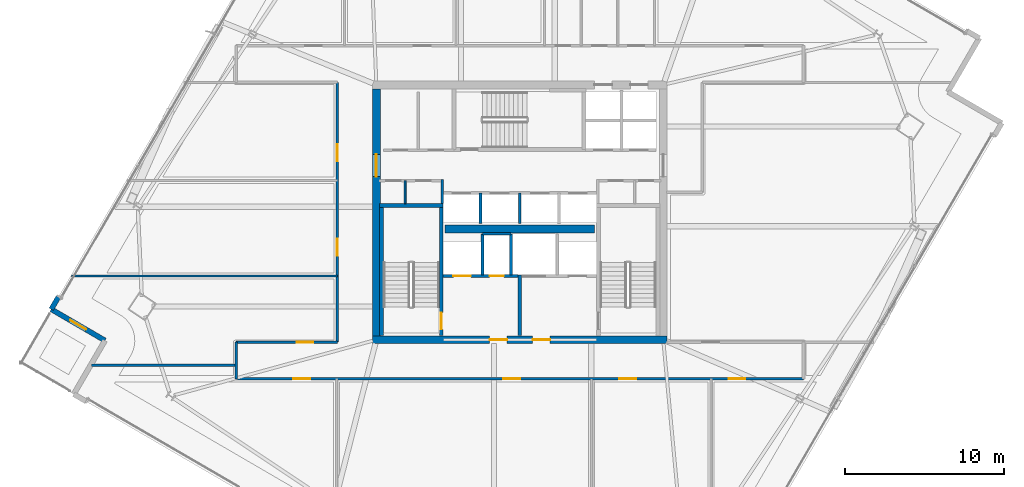
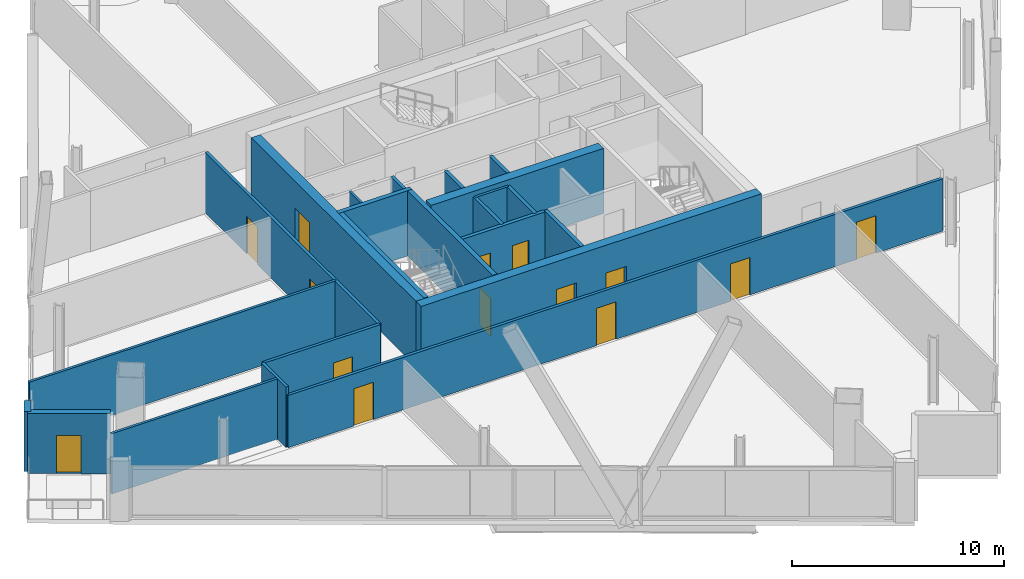
# One storey, part 21 of 29: 23 walls, 14 doors, 14 openings.
"""IFC4 building model written with IfcOpenShell, lengths in metres."""

from ifc_helpers import new_model, si_unit, direction, frame, frame_2d, origin, place, context, subcontext, project, spatial, rectangle, extrude, material, layer, layer_set, type_object, element, fill, save


model = new_model("IFC4")

# Units and contexts
model_context = context("Model", 3, precision=1e-05, world=origin(), true_north=direction((0.0, 1.0)))
body_context = subcontext(model_context, "Body", "Model", "MODEL_VIEW")
ifc_project = project(units=[si_unit("LENGTHUNIT", "METRE"), si_unit("AREAUNIT", "SQUARE_METRE"), si_unit("VOLUMEUNIT", "CUBIC_METRE"), si_unit("PLANEANGLEUNIT", "RADIAN"), si_unit("MASSUNIT", "GRAM", prefix="KILO")], contexts=[model_context])

# Site, building, storey
site_placement = place(None, origin())
site = spatial("IfcSite", under=ifc_project, at=site_placement, CompositionType="ELEMENT")
building_placement = place(site_placement, origin())
building = spatial("IfcBuilding", under=site, at=building_placement, Name="Haldenkirk Collegiate Tower", CompositionType="ELEMENT")
storey_placement = place(building_placement, frame((0.0, 0.0, 228.449951171875)))
storey = spatial("IfcBuildingStorey", under=building, at=storey_placement, Name="L57", CompositionType="ELEMENT", Elevation=228.449951171875)

# Wall, openings, doors
ifc_material_1 = material(Name="Concrete f'c 55 MPa", Category="concrete")
ifc_layer_1 = layer(ifc_material_1, 0.5)
ifc_layer_set_1 = layer_set([ifc_layer_1], Name="Concrete f'c 55 MPa")
wall_type_1 = type_object("IfcWallType", Name="WL-CORE-500", PredefinedType="SHEAR", material=ifc_layer_set_1)
wall_1_placement = place(storey_placement, frame((26.75, 18.0, 0.0), z_axis=(0.0, 0.0, 1.0), x_axis=(1.0, 0.0, 0.0)))
wall_1 = element("IfcWall", 1, at=wall_1_placement, inside=storey, type_object=wall_type_1, Name="L57 central core shear wall S", PredefinedType="SHEAR", context=body_context, shape_type="SweptSolid", body=[
    extrude(rectangle(XDim=18.5, YDim=0.5, at=frame_2d((9.25, 0.0))), origin(), (0.0, 0.0, 1.0), 3.75),
])
opening_1_placement = place(wall_1_placement, frame((7.35009765625, 0.0, 0.0)))
opening_1 = element("IfcOpeningElement", 2, at=opening_1_placement, cuts=wall_1, Name="Opening D-02", PredefinedType="OPENING", context=body_context, shape_type="SweptSolid", body=[
    extrude(rectangle(XDim=1.10009765625, YDim=2.14990234375, at=frame_2d((0.550048828125, 1.074951171875))), frame((0.0, 0.260009765625, 0.0), z_axis=(0.0, -1.0, 0.0), x_axis=(1.0, 0.0, 0.0)), (0.0, 0.0, 1.0), 0.52001953125),
])
opening_2_placement = place(wall_1_placement, frame((10.050048828125, 0.0, 0.0)))
opening_2 = element("IfcOpeningElement", 3, at=opening_2_placement, cuts=wall_1, Name="Opening D-02", PredefinedType="OPENING", context=body_context, shape_type="SweptSolid", body=[
    extrude(rectangle(XDim=1.10009765625, YDim=2.14990234375, at=frame_2d((0.550048828125, 1.074951171875))), frame((0.0, 0.260009765625, 0.0), z_axis=(0.0, -1.0, 0.0), x_axis=(1.0, 0.0, 0.0)), (0.0, 0.0, 1.0), 0.52001953125),
])
ifc_material_2 = material(Name="Galvanized fire-rated hollow steel door", Category="steel")
ifc_layer_2 = layer(ifc_material_2, 0.06005859375)
ifc_layer_set_2 = layer_set([ifc_layer_2], Name="Galvanized fire-rated hollow steel door")
door_type_1 = type_object("IfcDoorType", Name="DR-STAIR-FD90-1100", OperationType="NOTDEFINED", PredefinedType="DOOR", material=ifc_layer_set_2)
door_1_placement = place(opening_1_placement, origin())
door_1 = element("IfcDoor", 4, at=door_1_placement, inside=storey, type_object=door_type_1, Name="L57 Firefighting Lobby 1 door", OperationType="SINGLE_SWING_LEFT", OverallHeight=2.14990234375, OverallWidth=1.10009765625, PredefinedType="DOOR", context=body_context, shape_type="SweptSolid", body=[
    extrude(rectangle(XDim=1.10009765625, YDim=2.14990234375, at=frame_2d((0.550048828125, 1.074951171875))), frame((0.0, 0.02490234375, 0.0), z_axis=(0.0, -1.0, 0.0), x_axis=(1.0, 0.0, 0.0)), (0.0, 0.0, 1.0), 0.050048828125),
])
fill(opening_1, door_1)
door_2_placement = place(opening_2_placement, origin())
door_2 = element("IfcDoor", 5, at=door_2_placement, inside=storey, type_object=door_type_1, Name="L57 Firefighting Lobby 2 door", OperationType="SINGLE_SWING_RIGHT", OverallHeight=2.14990234375, OverallWidth=1.10009765625, PredefinedType="DOOR", context=body_context, shape_type="SweptSolid", body=[
    extrude(rectangle(XDim=1.10009765625, YDim=2.14990234375, at=frame_2d((0.550048828125, 1.074951171875))), frame((0.0, 0.02490234375, 0.0), z_axis=(0.0, -1.0, 0.0), x_axis=(1.0, 0.0, 0.0)), (0.0, 0.0, 1.0), 0.050048828125),
])
fill(opening_2, door_2)

# Wall, opening, door
wall_2_placement = place(storey_placement, frame((27.0, 18.25, 0.0), z_axis=(0.0, 0.0, 1.0), x_axis=(0.0, 1.0, 0.0)))
wall_2 = element("IfcWall", 6, at=wall_2_placement, inside=storey, type_object=wall_type_1, Name="L57 central core shear wall W", PredefinedType="SHEAR", context=body_context, shape_type="SweptSolid", body=[
    extrude(rectangle(XDim=15.5, YDim=0.5, at=frame_2d((7.75, 0.0))), origin(), (0.0, 0.0, 1.0), 3.75),
])
opening_3_placement = place(wall_2_placement, frame((9.989990234375, 0.0, 0.0)))
opening_3 = element("IfcOpeningElement", 7, at=opening_3_placement, cuts=wall_2, Name="Opening D-03", PredefinedType="OPENING", context=body_context, shape_type="SweptSolid", body=[
    extrude(rectangle(XDim=1.39990234375, YDim=2.199951171875, at=frame_2d((0.699951171875, 1.10009765625))), frame((0.0, 0.260009765625, 0.0), z_axis=(0.0, -1.0, 0.0), x_axis=(1.0, 0.0, 0.0)), (0.0, 0.0, 1.0), 0.52001953125),
])
ifc_layer_3 = layer(ifc_material_2, 0.06005859375)
ifc_layer_set_3 = layer_set([ifc_layer_3], Name="Galvanized fire-rated hollow steel door")
door_type_2 = type_object("IfcDoorType", Name="DR-LOBBY-FD90-1400", OperationType="NOTDEFINED", PredefinedType="DOOR", material=ifc_layer_set_3)
door_3_placement = place(opening_3_placement, origin())
door_3 = element("IfcDoor", 8, at=door_3_placement, inside=storey, type_object=door_type_2, Name="L57 west lift lobby portal", OperationType="DOUBLE_DOOR_SINGLE_SWING", OverallHeight=2.199951171875, OverallWidth=1.39990234375, PredefinedType="DOOR", context=body_context, shape_type="SweptSolid", body=[
    extrude(rectangle(XDim=1.39990234375, YDim=2.199951171875, at=frame_2d((0.699951171875, 1.10009765625))), frame((0.0, 0.02490234375, 0.0), z_axis=(0.0, -1.0, 0.0), x_axis=(1.0, 0.0, 0.0)), (0.0, 0.0, 1.0), 0.050048828125),
])
fill(opening_3, door_3)

# Walls
wall_3_placement = place(storey_placement, frame((31.31005859375, 24.949951171875, 0.0), z_axis=(0.0, 0.0, 1.0), x_axis=(1.0, 0.0, 0.0)))
element("IfcWall", 9, at=wall_3_placement, inside=storey, type_object=wall_type_1, Name="L57 central core spine shear wall", PredefinedType="SHEAR", context=body_context, shape_type="SweptSolid", body=[
    extrude(rectangle(XDim=9.3798828125, YDim=0.5, at=frame_2d((4.68994140625, 0.0))), origin(), (0.0, 0.0, 1.0), 3.75),
])
ifc_material_3 = material(Name="Precast concrete f'c 40 MPa", Category="concrete")
ifc_layer_4 = layer(ifc_material_3, 0.320068359375)
ifc_layer_set_4 = layer_set([ifc_layer_4], Name="Precast concrete f'c 40 MPa")
wall_type_2 = type_object("IfcWallType", Name="WL-EXT-TWR-320", PredefinedType="STANDARD", material=ifc_layer_set_4)
wall_4_placement = place(storey_placement, frame((6.597900390625, 19.913818359375, 0.0), z_axis=(0.0, 0.0, 1.0), x_axis=(0.502959906984, 0.86430974307, 0.0)))
element("IfcWall", 10, at=wall_4_placement, inside=storey, type_object=wall_type_2, Name="L57 precast corner pier NL", PredefinedType="STANDARD", context=body_context, shape_type="SweptSolid", body=[
    extrude(rectangle(XDim=0.89990234375, YDim=0.320068359375, at=frame_2d((0.449951171875, 0.0))), origin(), (0.0, 0.0, 1.0), 3.469970703125),
])

# Wall, opening, door
wall_5_placement = place(storey_placement, frame((9.968505859375, 17.951904296875, 0.0), z_axis=(0.0, 0.0, 1.0), x_axis=(-0.864255311942, 0.503053432331, 0.0)))
wall_5 = element("IfcWall", 11, at=wall_5_placement, inside=storey, type_object=wall_type_2, Name="L57 bronze precast notch wall 08", PredefinedType="STANDARD", context=body_context, shape_type="SweptSolid", body=[
    extrude(rectangle(XDim=3.89990234375, YDim=0.320068359375, at=frame_2d((1.949951171875, 0.0))), origin(), (0.0, 0.0, 1.0), 3.469970703125),
])
opening_4_placement = place(wall_5_placement, frame((1.375, 0.0, 0.0)))
opening_4 = element("IfcOpeningElement", 12, at=opening_4_placement, cuts=wall_5, Name="Opening D-ST11", PredefinedType="OPENING", context=body_context, shape_type="SweptSolid", body=[
    extrude(rectangle(XDim=1.14990234375, YDim=2.199951171875, at=frame_2d((0.574951171875, 1.10009765625))), frame((0.0, 0.169921875, 0.0), z_axis=(0.0, -1.0, 0.0), x_axis=(1.0, 0.0, 0.0)), (0.0, 0.0, 1.0), 0.340087890625),
])
ifc_material_4 = material(Name="Anodised architectural bronze aluminium", Category="aluminium")
ifc_layer_5 = layer(ifc_material_4, 0.080078125)
ifc_layer_set_5 = layer_set([ifc_layer_5], Name="Anodised architectural bronze aluminium")
door_type_3 = type_object("IfcDoorType", Name="DR-EXT-STER-1150", OperationType="NOTDEFINED", PredefinedType="DOOR", material=ifc_layer_set_5)
door_4_placement = place(opening_4_placement, origin())
door_4 = element("IfcDoor", 13, at=door_4_placement, inside=storey, type_object=door_type_3, Name="L57 spiralling terrace door", OperationType="SINGLE_SWING_RIGHT", OverallHeight=2.199951171875, OverallWidth=1.14990234375, PredefinedType="DOOR", context=body_context, shape_type="SweptSolid", body=[
    extrude(rectangle(XDim=1.14990234375, YDim=2.199951171875, at=frame_2d((0.574951171875, 1.10009765625))), frame((0.0, 0.02490234375, 0.0), z_axis=(0.0, -1.0, 0.0), x_axis=(1.0, 0.0, 0.0)), (0.0, 0.0, 1.0), 0.050048828125),
])
fill(opening_4, door_4)

# Wall
ifc_material_5 = material(Name="Acoustic fire-rated gypsum partition", Category="concrete")
ifc_layer_6 = layer(ifc_material_5, 0.159912109375)
ifc_layer_set_6 = layer_set([ifc_layer_6], Name="Acoustic fire-rated gypsum partition")
wall_type_3 = type_object("IfcWallType", Name="WL-INT-CORR-160", PredefinedType="PARTITIONING", material=ifc_layer_set_6)
wall_6_placement = place(storey_placement, frame((31.1201171875, 26.5400390625, 0.0), z_axis=(0.0, 0.0, 1.0), x_axis=(0.0, 1.0, 0.0)))
element("IfcWall", 14, at=wall_6_placement, inside=storey, type_object=wall_type_3, Name="L57 interior partition IW-L57-VCSW-E", PredefinedType="PARTITIONING", context=body_context, shape_type="SweptSolid", body=[
    extrude(rectangle(XDim=1.510009765625, YDim=0.159912109375, at=frame_2d((0.7548828125, 0.0))), origin(), (0.0, 0.0, 1.0), 3.469970703125),
])

# Wall, openings, doors
wall_7_placement = place(storey_placement, frame((18.199951171875, 15.550048828125, 0.0), z_axis=(0.0, 0.0, 1.0), x_axis=(1.0, 0.0, 0.0)))
wall_7 = element("IfcWall", 15, at=wall_7_placement, inside=storey, type_object=wall_type_3, Name="L57 interior partition IW-L57-CS", PredefinedType="PARTITIONING", context=body_context, shape_type="SweptSolid", body=[
    extrude(rectangle(XDim=35.60009765625, YDim=0.159912109375, at=frame_2d((17.800048828125, 0.0))), origin(), (0.0, 0.0, 1.0), 3.008056640625),
])
opening_5_placement = place(wall_7_placement, frame((3.5869140625, 0.0, 0.0)))
opening_5 = element("IfcOpeningElement", 16, at=opening_5_placement, cuts=wall_7, Name="Opening D-09", PredefinedType="OPENING", context=body_context, shape_type="SweptSolid", body=[
    extrude(rectangle(XDim=1.050048828125, YDim=2.14990234375, at=frame_2d((0.52490234375, 1.074951171875))), frame((0.0, 0.08984375, 0.0), z_axis=(0.0, -1.0, 0.0), x_axis=(1.0, 0.0, 0.0)), (0.0, 0.0, 1.0), 0.179931640625),
])
opening_6_placement = place(wall_7_placement, frame((16.77490234375, 0.0, 0.0)))
opening_6 = element("IfcOpeningElement", 17, at=opening_6_placement, cuts=wall_7, Name="Opening D-09", PredefinedType="OPENING", context=body_context, shape_type="SweptSolid", body=[
    extrude(rectangle(XDim=1.050048828125, YDim=2.14990234375, at=frame_2d((0.52490234375, 1.074951171875))), frame((0.0, 0.08984375, 0.0), z_axis=(0.0, -1.0, 0.0), x_axis=(1.0, 0.0, 0.0)), (0.0, 0.0, 1.0), 0.179931640625),
])
opening_7_placement = place(wall_7_placement, frame((24.054931640625, 0.0, 0.0)))
opening_7 = element("IfcOpeningElement", 18, at=opening_7_placement, cuts=wall_7, Name="Opening D-09", PredefinedType="OPENING", context=body_context, shape_type="SweptSolid", body=[
    extrude(rectangle(XDim=1.050048828125, YDim=2.14990234375, at=frame_2d((0.52490234375, 1.074951171875))), frame((0.0, 0.08984375, 0.0), z_axis=(0.0, -1.0, 0.0), x_axis=(1.0, 0.0, 0.0)), (0.0, 0.0, 1.0), 0.179931640625),
])
opening_8_placement = place(wall_7_placement, frame((30.905029296875, 0.0, 0.0)))
opening_8 = element("IfcOpeningElement", 19, at=opening_8_placement, cuts=wall_7, Name="Opening D-09", PredefinedType="OPENING", context=body_context, shape_type="SweptSolid", body=[
    extrude(rectangle(XDim=1.050048828125, YDim=2.14990234375, at=frame_2d((0.52490234375, 1.074951171875))), frame((0.0, 0.08984375, 0.0), z_axis=(0.0, -1.0, 0.0), x_axis=(1.0, 0.0, 0.0)), (0.0, 0.0, 1.0), 0.179931640625),
])
ifc_material_6 = material(Name="Solid-core architectural oak fire door", Category="wood")
ifc_layer_7 = layer(ifc_material_6, 0.06005859375)
ifc_layer_set_7 = layer_set([ifc_layer_7], Name="Solid-core architectural oak fire door")
door_type_4 = type_object("IfcDoorType", Name="DR-INT-FD60-1050", OperationType="NOTDEFINED", PredefinedType="DOOR", material=ifc_layer_set_7)
door_5_placement = place(opening_5_placement, origin())
door_5 = element("IfcDoor", 20, at=door_5_placement, inside=storey, type_object=door_type_4, Name="L57 Wet Science Laboratory 1 door", OperationType="SINGLE_SWING_LEFT", OverallHeight=2.14990234375, OverallWidth=1.050048828125, PredefinedType="DOOR", context=body_context, shape_type="SweptSolid", body=[
    extrude(rectangle(XDim=1.050048828125, YDim=2.14990234375, at=frame_2d((0.52490234375, 1.074951171875))), frame((0.0, 0.02490234375, 0.0), z_axis=(0.0, -1.0, 0.0), x_axis=(1.0, 0.0, 0.0)), (0.0, 0.0, 1.0), 0.050048828125),
])
fill(opening_5, door_5)
door_6_placement = place(opening_6_placement, origin())
door_6 = element("IfcDoor", 21, at=door_6_placement, inside=storey, type_object=door_type_4, Name="L57 Robotics Fabrication Lab 2 door", OperationType="SINGLE_SWING_RIGHT", OverallHeight=2.14990234375, OverallWidth=1.050048828125, PredefinedType="DOOR", context=body_context, shape_type="SweptSolid", body=[
    extrude(rectangle(XDim=1.050048828125, YDim=2.14990234375, at=frame_2d((0.52490234375, 1.074951171875))), frame((0.0, 0.02490234375, 0.0), z_axis=(0.0, -1.0, 0.0), x_axis=(1.0, 0.0, 0.0)), (0.0, 0.0, 1.0), 0.050048828125),
])
fill(opening_6, door_6)
door_7_placement = place(opening_7_placement, origin())
door_7 = element("IfcDoor", 22, at=door_7_placement, inside=storey, type_object=door_type_4, Name="L57 Computational Design Studio 3 door", OperationType="SINGLE_SWING_LEFT", OverallHeight=2.14990234375, OverallWidth=1.050048828125, PredefinedType="DOOR", context=body_context, shape_type="SweptSolid", body=[
    extrude(rectangle(XDim=1.050048828125, YDim=2.14990234375, at=frame_2d((0.52490234375, 1.074951171875))), frame((0.0, 0.02490234375, 0.0), z_axis=(0.0, -1.0, 0.0), x_axis=(1.0, 0.0, 0.0)), (0.0, 0.0, 1.0), 0.050048828125),
])
fill(opening_7, door_7)
door_8_placement = place(opening_8_placement, origin())
door_8 = element("IfcDoor", 23, at=door_8_placement, inside=storey, type_object=door_type_4, Name="L57 Faculty Office 4 door", OperationType="SINGLE_SWING_RIGHT", OverallHeight=2.14990234375, OverallWidth=1.050048828125, PredefinedType="DOOR", context=body_context, shape_type="SweptSolid", body=[
    extrude(rectangle(XDim=1.050048828125, YDim=2.14990234375, at=frame_2d((0.52490234375, 1.074951171875))), frame((0.0, 0.02490234375, 0.0), z_axis=(0.0, -1.0, 0.0), x_axis=(1.0, 0.0, 0.0)), (0.0, 0.0, 1.0), 0.050048828125),
])
fill(opening_8, door_8)

# Wall, opening, door
wall_8_placement = place(storey_placement, frame((18.199951171875, 17.85009765625, 0.0), z_axis=(0.0, 0.0, 1.0), x_axis=(1.0, 0.0, 0.0)))
wall_8 = element("IfcWall", 24, at=wall_8_placement, inside=storey, type_object=wall_type_3, Name="L57 interior partition IW-L57-CSW", PredefinedType="PARTITIONING", context=body_context, shape_type="SweptSolid", body=[
    extrude(rectangle(XDim=6.35009765625, YDim=0.159912109375, at=frame_2d((3.175048828125, 0.0))), origin(), (0.0, 0.0, 1.0), 3.469970703125),
])
opening_9_placement = place(wall_8_placement, frame((3.79296875, 0.0, 0.0)))
opening_9 = element("IfcOpeningElement", 25, at=opening_9_placement, cuts=wall_8, Name="Opening D-09", PredefinedType="OPENING", context=body_context, shape_type="SweptSolid", body=[
    extrude(rectangle(XDim=1.050048828125, YDim=2.14990234375, at=frame_2d((0.52490234375, 1.074951171875))), frame((0.0, 0.08984375, 0.0), z_axis=(0.0, -1.0, 0.0), x_axis=(1.0, 0.0, 0.0)), (0.0, 0.0, 1.0), 0.179931640625),
])
door_9_placement = place(opening_9_placement, origin())
door_9 = element("IfcDoor", 26, at=door_9_placement, inside=storey, type_object=door_type_4, Name="L57 Robotics Fabrication Lab 8 door", OperationType="SINGLE_SWING_RIGHT", OverallHeight=2.14990234375, OverallWidth=1.050048828125, PredefinedType="DOOR", context=body_context, shape_type="SweptSolid", body=[
    extrude(rectangle(XDim=1.050048828125, YDim=2.14990234375, at=frame_2d((0.52490234375, 1.074951171875))), frame((0.0, 0.02490234375, 0.0), z_axis=(0.0, -1.0, 0.0), x_axis=(1.0, 0.0, 0.0)), (0.0, 0.0, 1.0), 0.050048828125),
])
fill(opening_9, door_9)

# Wall, openings, doors
wall_9_placement = place(storey_placement, frame((24.550048828125, 17.85009765625, 0.0), z_axis=(0.0, 0.0, 1.0), x_axis=(0.0, 1.0, 0.0)))
wall_9 = element("IfcWall", 27, at=wall_9_placement, inside=storey, type_object=wall_type_3, Name="L57 interior partition IW-L57-CW", PredefinedType="PARTITIONING", context=body_context, shape_type="SweptSolid", body=[
    extrude(rectangle(XDim=16.2998046875, YDim=0.159912109375, at=frame_2d((8.14990234375, 0.0))), origin(), (0.0, 0.0, 1.0), 3.469970703125),
])
opening_10_placement = place(wall_9_placement, frame((5.425048828125, 0.0, 0.0)))
opening_10 = element("IfcOpeningElement", 28, at=opening_10_placement, cuts=wall_9, Name="Opening D-09", PredefinedType="OPENING", context=body_context, shape_type="SweptSolid", body=[
    extrude(rectangle(XDim=1.050048828125, YDim=2.14990234375, at=frame_2d((0.52490234375, 1.074951171875))), frame((0.0, 0.08984375, 0.0), z_axis=(0.0, -1.0, 0.0), x_axis=(1.0, 0.0, 0.0)), (0.0, 0.0, 1.0), 0.179931640625),
])
opening_11_placement = place(wall_9_placement, frame((11.366943359375, 0.0, 0.0)))
opening_11 = element("IfcOpeningElement", 29, at=opening_11_placement, cuts=wall_9, Name="Opening D-09", PredefinedType="OPENING", context=body_context, shape_type="SweptSolid", body=[
    extrude(rectangle(XDim=1.050048828125, YDim=2.14990234375, at=frame_2d((0.52490234375, 1.074951171875))), frame((0.0, 0.08984375, 0.0), z_axis=(0.0, -1.0, 0.0), x_axis=(1.0, 0.0, 0.0)), (0.0, 0.0, 1.0), 0.179931640625),
])
door_10_placement = place(opening_10_placement, origin())
door_10 = element("IfcDoor", 30, at=door_10_placement, inside=storey, type_object=door_type_4, Name="L57 Computational Design Studio 9 door", OperationType="SINGLE_SWING_LEFT", OverallHeight=2.14990234375, OverallWidth=1.050048828125, PredefinedType="DOOR", context=body_context, shape_type="SweptSolid", body=[
    extrude(rectangle(XDim=1.050048828125, YDim=2.14990234375, at=frame_2d((0.52490234375, 1.074951171875))), frame((0.0, 0.02490234375, 0.0), z_axis=(0.0, -1.0, 0.0), x_axis=(1.0, 0.0, 0.0)), (0.0, 0.0, 1.0), 0.050048828125),
])
fill(opening_10, door_10)
door_11_placement = place(opening_11_placement, origin())
door_11 = element("IfcDoor", 31, at=door_11_placement, inside=storey, type_object=door_type_4, Name="L57 Faculty Office 10 door", OperationType="SINGLE_SWING_RIGHT", OverallHeight=2.14990234375, OverallWidth=1.050048828125, PredefinedType="DOOR", context=body_context, shape_type="SweptSolid", body=[
    extrude(rectangle(XDim=1.050048828125, YDim=2.14990234375, at=frame_2d((0.52490234375, 1.074951171875))), frame((0.0, 0.02490234375, 0.0), z_axis=(0.0, -1.0, 0.0), x_axis=(1.0, 0.0, 0.0)), (0.0, 0.0, 1.0), 0.050048828125),
])
fill(opening_11, door_11)

# Walls
wall_10_placement = place(storey_placement, frame((18.199951171875, 15.550048828125, 0.0), z_axis=(0.0, 0.0, 1.0), x_axis=(0.0, 1.0, 0.0)))
element("IfcWall", 32, at=wall_10_placement, inside=storey, type_object=wall_type_3, Name="L57 interior partition IW-L57-CSL", PredefinedType="PARTITIONING", context=body_context, shape_type="SweptSolid", body=[
    extrude(rectangle(XDim=2.300048828125, YDim=0.159912109375, at=frame_2d((1.14990234375, 0.0))), origin(), (0.0, 0.0, 1.0), 3.469970703125),
])
ifc_layer_8 = layer(ifc_material_5, 0.139892578125)
ifc_layer_set_8 = layer_set([ifc_layer_8], Name="Acoustic fire-rated gypsum partition")
wall_type_4 = type_object("IfcWallType", Name="WL-INT-DIV-140", PredefinedType="PARTITIONING", material=ifc_layer_set_8)
wall_11_placement = place(storey_placement, frame((9.111572265625, 16.39990234375, 0.0), z_axis=(0.0, 0.0, 1.0), x_axis=(1.0, 0.0, 0.0)))
element("IfcWall", 33, at=wall_11_placement, inside=storey, type_object=wall_type_4, Name="L57 interior partition IW-L57-BWS", PredefinedType="PARTITIONING", context=body_context, shape_type="SweptSolid", body=[
    extrude(rectangle(XDim=9.08837890625, YDim=0.139892578125, at=frame_2d((4.544189453125, 0.0))), origin(), (0.0, 0.0, 1.0), 3.469970703125),
])
wall_12_placement = place(storey_placement, frame((7.8583984375, 22.0, 0.0), z_axis=(0.0, 0.0, 1.0), x_axis=(1.0, 0.0, 0.0)))
element("IfcWall", 34, at=wall_12_placement, inside=storey, type_object=wall_type_4, Name="L57 interior partition IW-L57-RW1", PredefinedType="PARTITIONING", context=body_context, shape_type="SweptSolid", body=[
    extrude(rectangle(XDim=16.691650390625, YDim=0.139892578125, at=frame_2d((8.345703125, 0.0))), origin(), (0.0, 0.0, 1.0), 3.469970703125),
])
ifc_material_7 = material(Name="Fire-rated gypsum shaftboard assembly", Category="concrete")
ifc_layer_9 = layer(ifc_material_7, 0.179931640625)
ifc_layer_set_9 = layer_set([ifc_layer_9], Name="Fire-rated gypsum shaftboard assembly")
wall_type_5 = type_object("IfcWallType", Name="WL-INT-SHAFT-180", PredefinedType="PARTITIONING", material=ifc_layer_set_9)
for number, where, z_axis, x_axis, name in (
    (35, (33.64990234375, 22.050048828125, 0.0), (0.0, 0.0, 1.0), (0.0, 1.0, 0.0), "L57 interior partition IW-L57-FL1E"),
    (36, (35.449951171875, 22.050048828125, 0.0), (0.0, 0.0, 1.0), (0.0, 1.0, 0.0), "L57 interior partition IW-L57-GL1W"),
):
    element("IfcWall", number, at=place(storey_placement, frame(where, z_axis=z_axis, x_axis=x_axis)), inside=storey, type_object=wall_type_5, Name=name, PredefinedType="PARTITIONING", context=body_context, shape_type="SweptSolid", body=[
        extrude(rectangle(XDim=2.599853515625, YDim=0.179931640625, at=frame_2d((1.2998046875, 0.0))), origin(), (0.0, 0.0, 1.0), 3.469970703125),
    ])
wall_13_placement = place(storey_placement, frame((33.64990234375, 24.64990234375, 0.0), z_axis=(0.0, 0.0, 1.0), x_axis=(1.0, 0.0, 0.0)))
element("IfcWall", 37, at=wall_13_placement, inside=storey, type_object=wall_type_5, Name="L57 interior partition IW-L57-RSRN", PredefinedType="PARTITIONING", context=body_context, shape_type="SweptSolid", body=[
    extrude(rectangle(XDim=1.800048828125, YDim=0.179931640625, at=frame_2d((0.89990234375, 0.0))), origin(), (0.0, 0.0, 1.0), 3.469970703125),
])
for number, where, z_axis, x_axis, name in (
    (38, (33.5400390625, 25.300048828125, 0.0), (0.0, 0.0, 1.0), (0.0, 1.0, 0.0), "L57 interior partition IW-L57-PHV1"),
    (39, (36.0, 25.300048828125, 0.0), (0.0, 0.0, 1.0), (0.0, 1.0, 0.0), "L57 interior partition IW-L57-PHV2"),
):
    element("IfcWall", number, at=place(storey_placement, frame(where, z_axis=z_axis, x_axis=x_axis)), inside=storey, type_object=wall_type_5, Name=name, PredefinedType="PARTITIONING", context=body_context, shape_type="SweptSolid", body=[
        extrude(rectangle(XDim=1.89990234375, YDim=0.179931640625, at=frame_2d((0.949951171875, 0.0))), origin(), (0.0, 0.0, 1.0), 3.469970703125),
    ])
ifc_layer_10 = layer(ifc_material_7, 0.199951171875)
ifc_layer_set_10 = layer_set([ifc_layer_10], Name="Fire-rated gypsum shaftboard assembly")
wall_type_6 = type_object("IfcWallType", Name="WL-INT-SHAFT-200", PredefinedType="PARTITIONING", material=ifc_layer_set_10)
wall_14_placement = place(storey_placement, frame((36.0, 18.280029296875, 0.0), z_axis=(0.0, 0.0, 1.0), x_axis=(0.0, 1.0, 0.0)))
element("IfcWall", 40, at=wall_14_placement, inside=storey, type_object=wall_type_6, Name="L57 interior partition IW-L57-FFLM", PredefinedType="PARTITIONING", context=body_context, shape_type="SweptSolid", body=[
    extrude(rectangle(XDim=3.77001953125, YDim=0.199951171875, at=frame_2d((1.885009765625, 0.0))), origin(), (0.0, 0.0, 1.0), 3.469970703125),
])

# Wall, openings, doors
wall_15_placement = place(storey_placement, frame((31.18994140625, 22.0, 0.0), z_axis=(0.0, 0.0, 1.0), x_axis=(1.0, 0.0, 0.0)))
wall_15 = element("IfcWall", 41, at=wall_15_placement, inside=storey, type_object=wall_type_6, Name="L57 interior partition IW-L57-FFL1N", PredefinedType="PARTITIONING", context=body_context, shape_type="SweptSolid", body=[
    extrude(rectangle(XDim=4.68994140625, YDim=0.199951171875, at=frame_2d((2.344970703125, 0.0))), origin(), (0.0, 0.0, 1.0), 3.469970703125),
])
opening_12_placement = place(wall_15_placement, frame((2.909912109375, 0.0, 0.0)))
opening_12 = element("IfcOpeningElement", 42, at=opening_12_placement, cuts=wall_15, Name="Opening D-06", PredefinedType="OPENING", context=body_context, shape_type="SweptSolid", body=[
    extrude(rectangle(XDim=0.89990234375, YDim=2.14990234375, at=frame_2d((0.449951171875, 1.074951171875))), frame((0.0, 0.10986328125, 0.0), z_axis=(0.0, -1.0, 0.0), x_axis=(1.0, 0.0, 0.0)), (0.0, 0.0, 1.0), 0.219970703125),
])
opening_13_placement = place(wall_15_placement, frame((0.635009765625, 0.0, 0.0)))
opening_13 = element("IfcOpeningElement", 43, at=opening_13_placement, cuts=wall_15, Name="Opening LD-12", PredefinedType="OPENING", context=body_context, shape_type="SweptSolid", body=[
    extrude(rectangle(XDim=1.10009765625, YDim=2.14990234375, at=frame_2d((0.550048828125, 1.074951171875))), frame((0.0, 0.10986328125, 0.0), z_axis=(0.0, -1.0, 0.0), x_axis=(1.0, 0.0, 0.0)), (0.0, 0.0, 1.0), 0.219970703125),
])
ifc_layer_11 = layer(ifc_material_2, 0.06005859375)
ifc_layer_set_11 = layer_set([ifc_layer_11], Name="Galvanized fire-rated hollow steel door")
door_type_5 = type_object("IfcDoorType", Name="DR-INT-FD90-900", OperationType="NOTDEFINED", PredefinedType="DOOR", material=ifc_layer_set_11)
door_12_placement = place(opening_12_placement, origin())
door_12 = element("IfcDoor", 44, at=door_12_placement, inside=storey, type_object=door_type_5, Name="L57 electrical riser door", OperationType="SINGLE_SWING_LEFT", OverallHeight=2.14990234375, OverallWidth=0.89990234375, PredefinedType="DOOR", context=body_context, shape_type="SweptSolid", body=[
    extrude(rectangle(XDim=0.89990234375, YDim=2.14990234375, at=frame_2d((0.449951171875, 1.074951171875))), frame((0.0, 0.02490234375, 0.0), z_axis=(0.0, -1.0, 0.0), x_axis=(1.0, 0.0, 0.0)), (0.0, 0.0, 1.0), 0.050048828125),
])
fill(opening_12, door_12)
ifc_material_8 = material(Name="Brushed architectural stainless steel", Category="steel")
ifc_layer_12 = layer(ifc_material_8, 0.06005859375)
ifc_layer_set_12 = layer_set([ifc_layer_12], Name="Brushed architectural stainless steel")
door_type_6 = type_object("IfcDoorType", Name="LD-FIRE-1100", OperationType="NOTDEFINED", PredefinedType="DOOR", material=ifc_layer_set_12)
door_13_placement = place(opening_13_placement, origin())
door_13 = element("IfcDoor", 45, at=door_13_placement, inside=storey, type_object=door_type_6, Name="L57 Elevator FL1 sliding landing door", OperationType="SLIDING_TO_LEFT", OverallHeight=2.14990234375, OverallWidth=1.10009765625, PredefinedType="DOOR", context=body_context, shape_type="SweptSolid", body=[
    extrude(rectangle(XDim=1.10009765625, YDim=2.14990234375, at=frame_2d((0.550048828125, 1.074951171875))), frame((0.0, 0.02490234375, 0.0), z_axis=(0.0, -1.0, 0.0), x_axis=(1.0, 0.0, 0.0)), (0.0, 0.0, 1.0), 0.050048828125),
])
fill(opening_13, door_13)

# Wall
ifc_layer_13 = layer(ifc_material_5, 0.1201171875)
ifc_layer_set_13 = layer_set([ifc_layer_13], Name="Acoustic fire-rated gypsum partition")
wall_type_7 = type_object("IfcWallType", Name="WL-INT-WET-120", PredefinedType="PARTITIONING", material=ifc_layer_set_13)
wall_16_placement = place(storey_placement, frame((28.800048828125, 26.5400390625, 0.0), z_axis=(0.0, 0.0, 1.0), x_axis=(0.0, 1.0, 0.0)))
element("IfcWall", 46, at=wall_16_placement, inside=storey, type_object=wall_type_7, Name="L57 interior partition IW-L57-VCSW-M", PredefinedType="PARTITIONING", context=body_context, shape_type="SweptSolid", body=[
    extrude(rectangle(XDim=1.43994140625, YDim=0.1201171875, at=frame_2d((0.719970703125, 0.0))), origin(), (0.0, 0.0, 1.0), 3.469970703125),
])

# Wall, opening, door
ifc_layer_14 = layer(ifc_material_1, 0.239990234375)
ifc_layer_set_14 = layer_set([ifc_layer_14], Name="Concrete f'c 55 MPa")
wall_type_8 = type_object("IfcWallType", Name="WL-SHAFT-240", PredefinedType="SHEAR", material=ifc_layer_set_14)
wall_17_placement = place(storey_placement, frame((31.070068359375, 18.280029296875, 0.0), z_axis=(0.0, 0.0, 1.0), x_axis=(0.0, 1.0, 0.0)))
wall_17 = element("IfcWall", 47, at=wall_17_placement, inside=storey, type_object=wall_type_8, Name="L57 stair shaft shear wall SW-L57-ST1E", PredefinedType="SHEAR", context=body_context, shape_type="SweptSolid", body=[
    extrude(rectangle(XDim=8.260009765625, YDim=0.239990234375, at=frame_2d((4.1298828125, 0.0))), origin(), (0.0, 0.0, 1.0), 3.75),
])
opening_14_placement = place(wall_17_placement, frame((0.364990234375, 0.0, 0.0)))
opening_14 = element("IfcOpeningElement", 48, at=opening_14_placement, cuts=wall_17, Name="Opening D-01", PredefinedType="OPENING", context=body_context, shape_type="SweptSolid", body=[
    extrude(rectangle(XDim=1.050048828125, YDim=2.14990234375, at=frame_2d((0.52490234375, 1.074951171875))), frame((0.0, 0.1298828125, 0.0), z_axis=(0.0, -1.0, 0.0), x_axis=(1.0, 0.0, 0.0)), (0.0, 0.0, 1.0), 0.260009765625),
])
ifc_layer_15 = layer(ifc_material_2, 0.06005859375)
ifc_layer_set_15 = layer_set([ifc_layer_15], Name="Galvanized fire-rated hollow steel door")
door_type_7 = type_object("IfcDoorType", Name="DR-STAIR-FD90-1050", OperationType="NOTDEFINED", PredefinedType="DOOR", material=ifc_layer_set_15)
door_14_placement = place(opening_14_placement, origin())
door_14 = element("IfcDoor", 49, at=door_14_placement, inside=storey, type_object=door_type_7, Name="L57 Stair 1 door", OperationType="SINGLE_SWING_LEFT", OverallHeight=2.14990234375, OverallWidth=1.050048828125, PredefinedType="DOOR", context=body_context, shape_type="SweptSolid", body=[
    extrude(rectangle(XDim=1.050048828125, YDim=2.14990234375, at=frame_2d((0.52490234375, 1.074951171875))), frame((0.0, 0.02490234375, 0.0), z_axis=(0.0, -1.0, 0.0), x_axis=(1.0, 0.0, 0.0)), (0.0, 0.0, 1.0), 0.050048828125),
])
fill(opening_14, door_14)

# Walls
wall_18_placement = place(storey_placement, frame((27.2099609375, 26.419921875, 0.0), z_axis=(0.0, 0.0, 1.0), x_axis=(1.0, 0.0, 0.0)))
element("IfcWall", 50, at=wall_18_placement, inside=storey, type_object=wall_type_8, Name="L57 stair shaft shear wall SW-L57-ST1N", PredefinedType="SHEAR", context=body_context, shape_type="SweptSolid", body=[
    extrude(rectangle(XDim=3.97998046875, YDim=0.239990234375, at=frame_2d((1.989990234375, 0.0))), origin(), (0.0, 0.0, 1.0), 3.75),
])
wall_19_placement = place(storey_placement, frame((27.330078125, 18.280029296875, 0.0), z_axis=(0.0, 0.0, 1.0), x_axis=(0.0, 1.0, 0.0)))
element("IfcWall", 51, at=wall_19_placement, inside=storey, type_object=wall_type_8, Name="L57 stair shaft shear wall SW-L57-ST1W", PredefinedType="SHEAR", context=body_context, shape_type="SweptSolid", body=[
    extrude(rectangle(XDim=8.260009765625, YDim=0.239990234375, at=frame_2d((4.1298828125, 0.0))), origin(), (0.0, 0.0, 1.0), 3.75),
])

save(model, "model.ifc")
